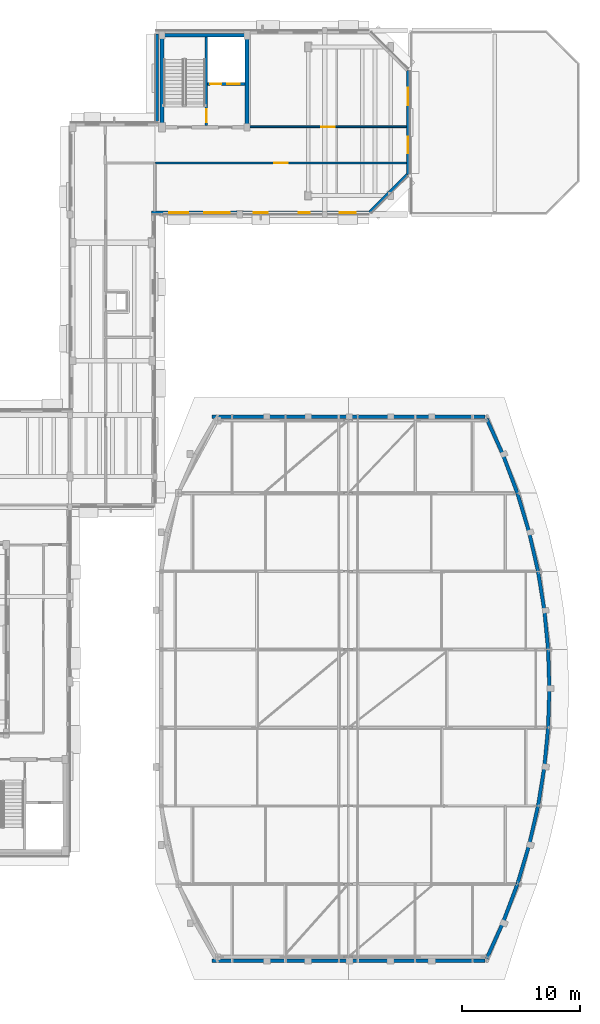
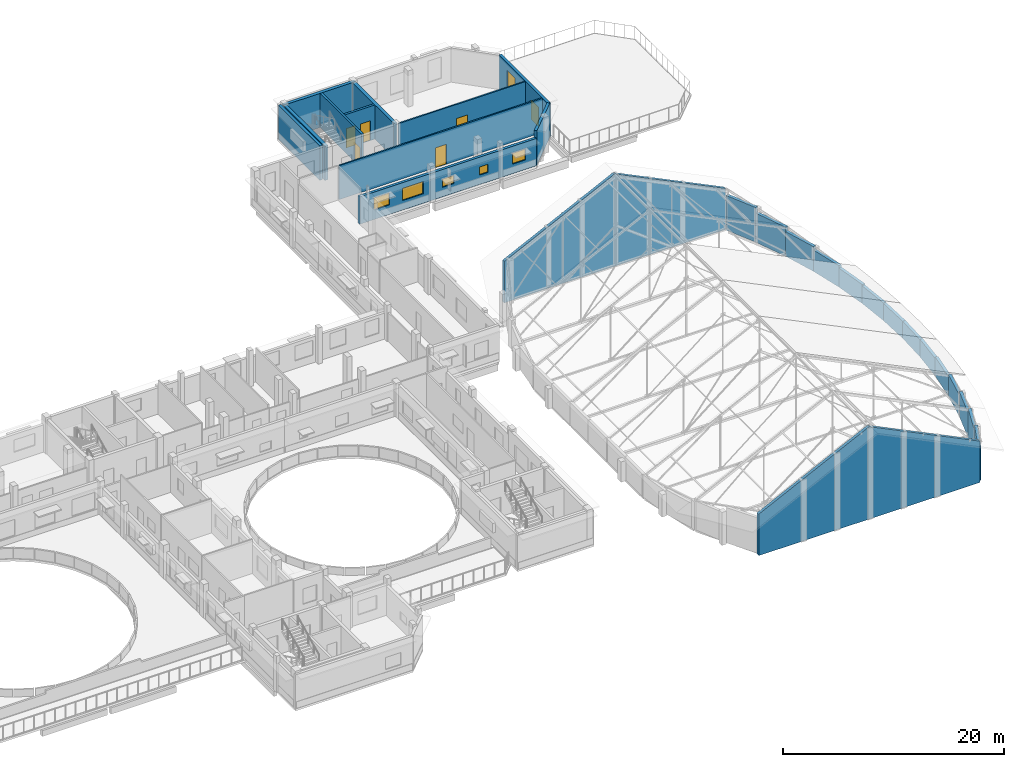
# One storey, part 67 of 78: 27 walls, 6 doors, 6 windows, 12 openings.
"""IFC4 building model written with IfcOpenShell, lengths in metres."""

from ifc_helpers import new_model, si_unit, direction, frame, frame_2d, origin, place, context, subcontext, project, spatial, polyline, rectangle, outline, extrude, material, layer, layer_set, type_object, element, fill, save


model = new_model("IFC4")

# Units and contexts
model_context = context("Model", 3, precision=1e-05, world=origin(), true_north=direction((0.0, 1.0)))
body_context = subcontext(model_context, "Body", "Model", "MODEL_VIEW")
ifc_project = project(units=[si_unit("LENGTHUNIT", "METRE"), si_unit("AREAUNIT", "SQUARE_METRE"), si_unit("VOLUMEUNIT", "CUBIC_METRE"), si_unit("PLANEANGLEUNIT", "RADIAN"), si_unit("MASSUNIT", "GRAM", prefix="KILO")], contexts=[model_context])

# Site, building, storey
site_placement = place(None, origin())
site = spatial("IfcSite", under=ifc_project, at=site_placement, CompositionType="ELEMENT")
building_placement = place(site_placement, origin())
building = spatial("IfcBuilding", under=site, at=building_placement, Name="Kelanivale Promenade Academy", CompositionType="ELEMENT")
storey_placement = place(building_placement, frame((0.0, 0.0, 16.199951171875)))
storey = spatial("IfcBuildingStorey", under=building, at=storey_placement, Name="L04", CompositionType="ELEMENT", Elevation=16.199951171875)

# Walls
ifc_material_1 = material(Name="Concrete C40/50", Category="concrete")
ifc_layer_1 = layer(ifc_material_1, 0.330078125)
ifc_layer_set_1 = layer_set([ifc_layer_1], Name="Concrete C40/50")
wall_type_1 = type_object("IfcWallType", Name="CW-S1 Wall 330mm", PredefinedType="SHEAR", material=ifc_layer_set_1)
wall_1_placement = place(storey_placement, frame((123.235107421875, 111.60009765625, 0.0), z_axis=(0.0, 0.0, 1.0), x_axis=(1.0, 0.0, 0.0)))
element("IfcWall", 1, at=wall_1_placement, inside=storey, type_object=wall_type_1, Name="CORE-5 RC shear wall N L04", PredefinedType="SHEAR", context=body_context, shape_type="SweptSolid", body=[
    extrude(rectangle(XDim=7.52978515625, YDim=0.330078125, at=frame_2d((3.764892578125, 0.0))), origin(), (0.0, 0.0, 1.0), 3.780029296875),
])
for number, where, z_axis, x_axis, name in (
    (2, (123.39990234375, 103.965087890625, 0.0), (0.0, 0.0, 1.0), (0.0, 1.0, 0.0), "CORE-5 RC shear wall W L04"),
    (3, (130.60009765625, 103.965087890625, 0.0), (0.0, 0.0, 1.0), (0.0, 1.0, 0.0), "CORE-5 RC shear wall E L04"),
):
    element("IfcWall", number, at=place(storey_placement, frame(where, z_axis=z_axis, x_axis=x_axis)), inside=storey, type_object=wall_type_1, Name=name, PredefinedType="SHEAR", context=body_context, shape_type="SweptSolid", body=[
        extrude(rectangle(XDim=7.469970703125, YDim=0.330078125, at=frame_2d((3.73486328125, 0.0))), origin(), (0.0, 0.0, 1.0), 3.780029296875),
    ])

# Wall, openings, doors
ifc_layer_2 = layer(ifc_material_1, 0.22509765625)
ifc_layer_set_2 = layer_set([ifc_layer_2], Name="Concrete C40/50")
wall_type_2 = type_object("IfcWallType", Name="CW-S2 Wall 225mm", PredefinedType="SHEAR", material=ifc_layer_set_2)
wall_2_placement = place(storey_placement, frame((127.284912109375, 107.469970703125, 0.0), z_axis=(0.0, 0.0, 1.0), x_axis=(1.0, 0.0, 0.0)))
wall_2 = element("IfcWall", 4, at=wall_2_placement, inside=storey, type_object=wall_type_2, Name="CORE-5 lift shaft front RC wall L04", PredefinedType="SHEAR", context=body_context, shape_type="SweptSolid", body=[
    extrude(rectangle(XDim=3.150146484375, YDim=0.22509765625, at=frame_2d((1.5751953125, 0.0))), origin(), (0.0, 0.0, 1.0), 3.780029296875),
])
opening_1_placement = place(wall_2_placement, frame((0.199951171875, 0.0, 0.0)))
opening_1 = element("IfcOpeningElement", 5, at=opening_1_placement, cuts=wall_2, Name="Opening LD-LF-FF4-L04", PredefinedType="OPENING", context=body_context, shape_type="SweptSolid", body=[
    extrude(rectangle(XDim=0.949951171875, YDim=2.14990234375, at=frame_2d((0.47509765625, 1.074951171875))), frame((0.0, 0.12255859375, 0.0), z_axis=(0.0, -1.0, 0.0), x_axis=(1.0, 0.0, 0.0)), (0.0, 0.0, 1.0), 0.2451171875),
])
opening_2_placement = place(wall_2_placement, frame((1.64990234375, 0.0, 0.0)))
opening_2 = element("IfcOpeningElement", 6, at=opening_2_placement, cuts=wall_2, Name="Opening LD-LF-P3-L04", PredefinedType="OPENING", context=body_context, shape_type="SweptSolid", body=[
    extrude(rectangle(XDim=1.050048828125, YDim=2.199951171875, at=frame_2d((0.52490234375, 1.10009765625))), frame((0.0, 0.12255859375, 0.0), z_axis=(0.0, -1.0, 0.0), x_axis=(1.0, 0.0, 0.0)), (0.0, 0.0, 1.0), 0.2451171875),
])
ifc_material_2 = material(Name="Fire-rated steel-core teak veneer", Category="steel")
door_type_1 = type_object("IfcDoorType", Name="LD-FF1 Door 950x2150", OperationType="NOTDEFINED", PredefinedType="DOOR", material=ifc_material_2)
door_1_placement = place(opening_1_placement, origin())
door_1 = element("IfcDoor", 7, at=door_1_placement, inside=storey, type_object=door_type_1, Name="Firefighting lift landing door LD-LF-FF4-L04", OperationType="SLIDING_TO_LEFT", OverallHeight=2.14990234375, OverallWidth=0.949951171875, PredefinedType="DOOR", context=body_context, shape_type="SweptSolid", body=[
    extrude(rectangle(XDim=0.949951171875, YDim=2.14990234375, at=frame_2d((0.47509765625, 1.074951171875))), frame((0.0, 0.02490234375, 0.0), z_axis=(0.0, -1.0, 0.0), x_axis=(1.0, 0.0, 0.0)), (0.0, 0.0, 1.0), 0.050048828125),
])
fill(opening_1, door_1)
door_type_2 = type_object("IfcDoorType", Name="LD-PL1 Door 1050x2200", OperationType="NOTDEFINED", PredefinedType="DOOR", material=ifc_material_2)
door_2_placement = place(opening_2_placement, origin())
door_2 = element("IfcDoor", 8, at=door_2_placement, inside=storey, type_object=door_type_2, Name="Passenger lift landing door LD-LF-P3-L04", OperationType="SLIDING_TO_RIGHT", OverallHeight=2.199951171875, OverallWidth=1.050048828125, PredefinedType="DOOR", context=body_context, shape_type="SweptSolid", body=[
    extrude(rectangle(XDim=1.050048828125, YDim=2.199951171875, at=frame_2d((0.52490234375, 1.10009765625))), frame((0.0, 0.02490234375, 0.0), z_axis=(0.0, -1.0, 0.0), x_axis=(1.0, 0.0, 0.0)), (0.0, 0.0, 1.0), 0.050048828125),
])
fill(opening_2, door_2)

# Wall, opening, door
ifc_layer_3 = layer(ifc_material_1, 0.219970703125)
ifc_layer_set_3 = layer_set([ifc_layer_3], Name="Concrete C40/50")
wall_type_3 = type_object("IfcWallType", Name="CW-S3 Wall 220mm", PredefinedType="SHEAR", material=ifc_layer_set_3)
wall_3_placement = place(storey_placement, frame((127.175048828125, 103.965087890625, 0.0), z_axis=(0.0, 0.0, 1.0), x_axis=(0.0, 1.0, 0.0)))
wall_3 = element("IfcWall", 9, at=wall_3_placement, inside=storey, type_object=wall_type_3, Name="CORE-5 stair-lobby dividing RC wall L04", PredefinedType="SHEAR", context=body_context, shape_type="SweptSolid", body=[
    extrude(rectangle(XDim=7.469970703125, YDim=0.219970703125, at=frame_2d((3.73486328125, 0.0))), origin(), (0.0, 0.0, 1.0), 3.780029296875),
])
opening_3_placement = place(wall_3_placement, frame((0.25, 0.0, 0.0)))
opening_3 = element("IfcOpeningElement", 10, at=opening_3_placement, cuts=wall_3, Name="Opening FD-CORE-5-SL-L04", PredefinedType="OPENING", context=body_context, shape_type="SweptSolid", body=[
    extrude(rectangle(XDim=1.10009765625, YDim=2.14990234375, at=frame_2d((0.550048828125, 1.074951171875))), frame((0.0, 0.1201171875, 0.0), z_axis=(0.0, -1.0, 0.0), x_axis=(1.0, 0.0, 0.0)), (0.0, 0.0, 1.0), 0.239990234375),
])
door_type_3 = type_object("IfcDoorType", Name="DT-F01 Door 1100x2150", OperationType="NOTDEFINED", PredefinedType="DOOR", material=ifc_material_2)
door_3_placement = place(opening_3_placement, origin())
door_3 = element("IfcDoor", 11, at=door_3_placement, inside=storey, type_object=door_type_3, Name="CORE-5 lobby-to-stair fire door L04", OperationType="SINGLE_SWING_RIGHT", OverallHeight=2.14990234375, OverallWidth=1.10009765625, PredefinedType="DOOR", context=body_context, shape_type="SweptSolid", body=[
    extrude(rectangle(XDim=1.10009765625, YDim=2.14990234375, at=frame_2d((0.550048828125, 1.074951171875))), frame((0.0, 0.02490234375, 0.0), z_axis=(0.0, -1.0, 0.0), x_axis=(1.0, 0.0, 0.0)), (0.0, 0.0, 1.0), 0.050048828125),
])
fill(opening_3, door_3)

# Walls
ifc_material_3 = material(Name="Insulated terracotta-clad masonry wall 300 mm", Category="masonry")
ifc_layer_4 = layer(ifc_material_3, 0.300048828125)
ifc_layer_set_4 = layer_set([ifc_layer_4], Name="Insulated terracotta-clad masonry wall 300 mm")
wall_type_4 = type_object("IfcWallType", Name="EW-01 Wall 300mm", PredefinedType="SOLIDWALL", material=ifc_layer_set_4)
wall_4_placement = place(storey_placement, frame((150.928955078125, 33.30908203125, 0.0), z_axis=(0.0, 0.0, 1.0), x_axis=(0.414382257429, 0.910102930842, 0.0)))
element("IfcWall", 12, at=wall_4_placement, inside=storey, type_object=wall_type_4, Name="Assembly Hall Arc Pavilion curved terracotta wall L04", PredefinedType="SOLIDWALL", context=body_context, shape_type="SweptSolid", body=[
    extrude(rectangle(XDim=3.3017578125, YDim=0.300048828125, at=frame_2d((1.65087890625, 0.0))), origin(), (0.0, 0.0, 1.0), 3.825927734375),
])
wall_5_placement = place(storey_placement, frame((152.297119140625, 36.31396484375, 0.0), z_axis=(0.0, 0.0, 1.0), x_axis=(0.350836219137, 0.936436835746, 0.0)))
element("IfcWall", 13, at=wall_5_placement, inside=storey, type_object=wall_type_4, Name="Assembly Hall Arc Pavilion curved terracotta wall L04", PredefinedType="SOLIDWALL", context=body_context, shape_type="SweptSolid", body=[
    extrude(rectangle(XDim=3.5400390625, YDim=0.300048828125, at=frame_2d((1.77001953125, 0.0))), origin(), (0.0, 0.0, 1.0), 3.218994140625),
])
wall_6_placement = place(storey_placement, frame((153.5390625, 39.62890625, 0.0), z_axis=(0.0, 0.0, 1.0), x_axis=(0.286991798892, 0.957933039084, 0.0)))
element("IfcWall", 14, at=wall_6_placement, inside=storey, type_object=wall_type_4, Name="Assembly Hall Arc Pavilion curved terracotta wall L04", PredefinedType="SOLIDWALL", context=body_context, shape_type="SweptSolid", body=[
    extrude(rectangle(XDim=3.459716796875, YDim=0.300048828125, at=frame_2d((1.72998046875, 0.0))), origin(), (0.0, 0.0, 1.0), 2.734130859375),
])
wall_7_placement = place(storey_placement, frame((154.531982421875, 42.943115234375, 0.0), z_axis=(0.0, 0.0, 1.0), x_axis=(0.223259599234, 0.974759022195, 0.0)))
element("IfcWall", 15, at=wall_7_placement, inside=storey, type_object=wall_type_4, Name="Assembly Hall Arc Pavilion curved terracotta wall L04", PredefinedType="SOLIDWALL", context=body_context, shape_type="SweptSolid", body=[
    extrude(rectangle(XDim=3.399658203125, YDim=0.300048828125, at=frame_2d((1.69970703125, 0.0))), origin(), (0.0, 0.0, 1.0), 2.364013671875),
])
wall_8_placement = place(storey_placement, frame((155.291015625, 46.257080078125, 0.0), z_axis=(0.0, 0.0, 1.0), x_axis=(0.159349054769, 0.987222304623, 0.0)))
element("IfcWall", 16, at=wall_8_placement, inside=storey, type_object=wall_type_4, Name="Assembly Hall Arc Pavilion curved terracotta wall L04", PredefinedType="SOLIDWALL", context=body_context, shape_type="SweptSolid", body=[
    extrude(rectangle(XDim=3.35693359375, YDim=0.300048828125, at=frame_2d((1.678466796875, 0.0))), origin(), (0.0, 0.0, 1.0), 2.10205078125),
])
wall_9_placement = place(storey_placement, frame((155.825927734375, 49.571044921875, 0.0), z_axis=(0.0, 0.0, 1.0), x_axis=(0.095525216858, 0.995427010355, 0.0)))
element("IfcWall", 17, at=wall_9_placement, inside=storey, type_object=wall_type_4, Name="Assembly Hall Arc Pavilion curved terracotta wall L04", PredefinedType="SOLIDWALL", context=body_context, shape_type="SweptSolid", body=[
    extrude(rectangle(XDim=3.330078125, YDim=0.300048828125, at=frame_2d((1.6650390625, 0.0))), origin(), (0.0, 0.0, 1.0), 1.947021484375),
])
for number, where, z_axis, x_axis, name in (
    (18, (156.14404296875, 52.885986328125, 0.0), (0.0, 0.0, 1.0), (0.031956559473, 0.999489258725, 0.0), "Assembly Hall Arc Pavilion curved terracotta wall L04"),
    (19, (156.25, 56.199951171875, 0.0), (0.0, 0.0, 1.0), (-0.031956559473, 0.999489258725, 0.0), "Assembly Hall Arc Pavilion curved terracotta wall L04"),
):
    element("IfcWall", number, at=place(storey_placement, frame(where, z_axis=z_axis, x_axis=x_axis)), inside=storey, type_object=wall_type_4, Name=name, PredefinedType="SOLIDWALL", context=body_context, shape_type="SweptSolid", body=[
        extrude(rectangle(XDim=3.315673828125, YDim=0.300048828125, at=frame_2d((1.65771484375, 0.0))), origin(), (0.0, 0.0, 1.0), 1.89501953125),
    ])
wall_10_placement = place(storey_placement, frame((156.14404296875, 59.513916015625, 0.0), z_axis=(0.0, 0.0, 1.0), x_axis=(-0.095518246268, 0.995427679256, 0.0)))
element("IfcWall", 20, at=wall_10_placement, inside=storey, type_object=wall_type_4, Name="Assembly Hall Arc Pavilion curved terracotta wall L04", PredefinedType="SOLIDWALL", context=body_context, shape_type="SweptSolid", body=[
    extrude(rectangle(XDim=3.330322265625, YDim=0.300048828125, at=frame_2d((1.6650390625, 0.0))), origin(), (0.0, 0.0, 1.0), 1.947021484375),
])
wall_11_placement = place(storey_placement, frame((155.825927734375, 62.8291015625, 0.0), z_axis=(0.0, 0.0, 1.0), x_axis=(-0.159349054769, 0.987222304623, 0.0)))
element("IfcWall", 21, at=wall_11_placement, inside=storey, type_object=wall_type_4, Name="Assembly Hall Arc Pavilion curved terracotta wall L04", PredefinedType="SOLIDWALL", context=body_context, shape_type="SweptSolid", body=[
    extrude(rectangle(XDim=3.35693359375, YDim=0.300048828125, at=frame_2d((1.678466796875, 0.0))), origin(), (0.0, 0.0, 1.0), 2.10205078125),
])
wall_12_placement = place(storey_placement, frame((155.291015625, 66.14306640625, 0.0), z_axis=(0.0, 0.0, 1.0), x_axis=(-0.223259599234, 0.974759022195, 0.0)))
element("IfcWall", 22, at=wall_12_placement, inside=storey, type_object=wall_type_4, Name="Assembly Hall Arc Pavilion curved terracotta wall L04", PredefinedType="SOLIDWALL", context=body_context, shape_type="SweptSolid", body=[
    extrude(rectangle(XDim=3.399658203125, YDim=0.300048828125, at=frame_2d((1.69970703125, 0.0))), origin(), (0.0, 0.0, 1.0), 2.364013671875),
])
wall_13_placement = place(storey_placement, frame((154.531982421875, 69.45703125, 0.0), z_axis=(0.0, 0.0, 1.0), x_axis=(-0.287011200065, 0.957927226379, 0.0)))
element("IfcWall", 23, at=wall_13_placement, inside=storey, type_object=wall_type_4, Name="Assembly Hall Arc Pavilion curved terracotta wall L04", PredefinedType="SOLIDWALL", context=body_context, shape_type="SweptSolid", body=[
    extrude(rectangle(XDim=3.45947265625, YDim=0.300048828125, at=frame_2d((1.729736328125, 0.0))), origin(), (0.0, 0.0, 1.0), 2.734130859375),
])
wall_14_placement = place(storey_placement, frame((153.5390625, 72.77099609375, 0.0), z_axis=(0.0, 0.0, 1.0), x_axis=(-0.350836219137, 0.936436835746, 0.0)))
element("IfcWall", 24, at=wall_14_placement, inside=storey, type_object=wall_type_4, Name="Assembly Hall Arc Pavilion curved terracotta wall L04", PredefinedType="SOLIDWALL", context=body_context, shape_type="SweptSolid", body=[
    extrude(rectangle(XDim=3.5400390625, YDim=0.300048828125, at=frame_2d((1.77001953125, 0.0))), origin(), (0.0, 0.0, 1.0), 3.218994140625),
])
wall_15_placement = place(storey_placement, frame((152.297119140625, 76.0859375, 0.0), z_axis=(0.0, 0.0, 1.0), x_axis=(-0.414354372568, 0.910115626684, 0.0)))
element("IfcWall", 25, at=wall_15_placement, inside=storey, type_object=wall_type_4, Name="Assembly Hall Arc Pavilion curved terracotta wall L04", PredefinedType="SOLIDWALL", context=body_context, shape_type="SweptSolid", body=[
    extrude(rectangle(XDim=3.302001953125, YDim=0.300048828125, at=frame_2d((1.65087890625, 0.0))), origin(), (0.0, 0.0, 1.0), 3.825927734375),
])
wall_16_placement = place(storey_placement, frame((127.64990234375, 33.14990234375, 0.0), z_axis=(0.0, 0.0, 1.0), x_axis=(1.0, 0.0, 0.0)))
element("IfcWall", 26, at=wall_16_placement, inside=storey, type_object=wall_type_4, Name="Assembly Hall Arc Pavilion raked gable closure wall", PredefinedType="SOLIDWALL", context=body_context, shape_type="SweptSolid", body=[
    extrude(outline(polyline([(0.0, 0.0), (23.13818359375, 0.0), (23.137939453125, 4.56298828125), (11.550048828125, 10.22216796875), (0.0, 4.5810546875), (0.0, 0.0)])), frame((0.0, 0.14990234375, 0.0), z_axis=(0.0, -1.0, 0.0), x_axis=(1.0, 0.0, 0.0)), (0.0, 0.0, 1.0), 0.300048828125),
])
wall_17_placement = place(storey_placement, frame((150.7880859375, 79.25, 0.0), z_axis=(0.0, 0.0, 1.0), x_axis=(-1.0, 0.0, 0.0)))
element("IfcWall", 27, at=wall_17_placement, inside=storey, type_object=wall_type_4, Name="Assembly Hall Arc Pavilion raked gable closure wall", PredefinedType="SOLIDWALL", context=body_context, shape_type="SweptSolid", body=[
    extrude(outline(polyline([(0.0, 0.0), (23.13818359375, 0.0), (23.137939453125, 4.5810546875), (11.587890625, 10.22216796875), (0.0, 4.56298828125), (0.0, 0.0)])), frame((0.0, 0.14990234375, 0.0), z_axis=(0.0, -1.0, 0.0), x_axis=(1.0, 0.0, 0.0)), (0.0, 0.0, 1.0), 0.300048828125),
])

# Wall, openings, windows
ifc_material_4 = material(Name="Insulated ivory stucco masonry wall 280 mm", Category="masonry")
ifc_layer_5 = layer(ifc_material_4, 0.280029296875)
ifc_layer_set_5 = layer_set([ifc_layer_5], Name="Insulated ivory stucco masonry wall 280 mm")
wall_type_5 = type_object("IfcWallType", Name="EW-02 Wall 280mm", PredefinedType="SOLIDWALL", material=ifc_layer_set_5)
wall_18_placement = place(storey_placement, frame((122.52001953125, 96.5400390625, 0.0), z_axis=(0.0, 0.0, 1.0), x_axis=(1.0, 0.0, 0.0)))
wall_18 = element("IfcWall", 28, at=wall_18_placement, inside=storey, type_object=wall_type_5, Name="L04 exterior facade wall EW-L04-ORT-0533", PredefinedType="SOLIDWALL", context=body_context, shape_type="SweptSolid", body=[
    extrude(rectangle(XDim=18.4970703125, YDim=0.280029296875, at=frame_2d((9.24853515625, 0.0))), origin(), (0.0, 0.0, 1.0), 3.025146484375),
])
opening_4_placement = place(wall_18_placement, frame((1.5, 0.0, 1.050048828125)))
opening_4 = element("IfcOpeningElement", 29, at=opening_4_placement, cuts=wall_18, Name="Opening WT-07", PredefinedType="OPENING", context=body_context, shape_type="SweptSolid", body=[
    extrude(rectangle(XDim=1.60009765625, YDim=1.35009765625, at=frame_2d((0.800048828125, 0.675048828125))), frame((0.0, 0.14990234375, 0.0), z_axis=(0.0, -1.0, 0.0), x_axis=(1.0, 0.0, 0.0)), (0.0, 0.0, 1.0), 0.300048828125),
])
opening_5_placement = place(wall_18_placement, frame((4.448974609375, 0.0, 1.050048828125)))
opening_5 = element("IfcOpeningElement", 30, at=opening_5_placement, cuts=wall_18, Name="Opening WT-08", PredefinedType="OPENING", context=body_context, shape_type="SweptSolid", body=[
    extrude(rectangle(XDim=2.199951171875, YDim=1.35009765625, at=frame_2d((1.10009765625, 0.675048828125))), frame((0.0, 0.14990234375, 0.0), z_axis=(0.0, -1.0, 0.0), x_axis=(1.0, 0.0, 0.0)), (0.0, 0.0, 1.0), 0.300048828125),
])
opening_6_placement = place(wall_18_placement, frame((8.64892578125, 0.0, 1.050048828125)))
opening_6 = element("IfcOpeningElement", 31, at=opening_6_placement, cuts=wall_18, Name="Opening WT-09", PredefinedType="OPENING", context=body_context, shape_type="SweptSolid", body=[
    extrude(rectangle(XDim=1.199951171875, YDim=0.89990234375, at=frame_2d((0.60009765625, 0.449951171875))), frame((0.0, 0.14990234375, 0.0), z_axis=(0.0, -1.0, 0.0), x_axis=(1.0, 0.0, 0.0)), (0.0, 0.0, 1.0), 0.300048828125),
])
opening_7_placement = place(wall_18_placement, frame((12.498046875, 0.0, 1.050048828125)))
opening_7 = element("IfcOpeningElement", 32, at=opening_7_placement, cuts=wall_18, Name="Opening WT-10", PredefinedType="OPENING", context=body_context, shape_type="SweptSolid", body=[
    extrude(rectangle(XDim=0.89990234375, YDim=0.89990234375, at=frame_2d((0.449951171875, 0.449951171875))), frame((0.0, 0.14990234375, 0.0), z_axis=(0.0, -1.0, 0.0), x_axis=(1.0, 0.0, 0.0)), (0.0, 0.0, 1.0), 0.300048828125),
])
opening_8_placement = place(wall_18_placement, frame((15.971923828125, 0.0, 1.050048828125)))
opening_8 = element("IfcOpeningElement", 33, at=opening_8_placement, cuts=wall_18, Name="Opening WT-34", PredefinedType="OPENING", context=body_context, shape_type="SweptSolid", body=[
    extrude(rectangle(XDim=1.35009765625, YDim=1.199951171875, at=frame_2d((0.675048828125, 0.60009765625))), frame((0.0, 0.14990234375, 0.0), z_axis=(0.0, -1.0, 0.0), x_axis=(1.0, 0.0, 0.0)), (0.0, 0.0, 1.0), 0.300048828125),
])
ifc_material_5 = material(Name="Bronze anodised aluminium frame with low-E laminated glass", Category="aluminium")
window_type_1 = type_object("IfcWindowType", Name="WT-07 Window 1600x1350", PartitioningType="SINGLE_PANEL", PredefinedType="WINDOW", material=ifc_material_5)
window_1_placement = place(opening_4_placement, origin())
window_1 = element("IfcWindow", 34, at=window_1_placement, inside=storey, type_object=window_type_1, Name="Window WT-07", OverallHeight=1.35009765625, OverallWidth=1.60009765625, PartitioningType="SINGLE_PANEL", PredefinedType="WINDOW", context=body_context, shape_type="SweptSolid", body=[
    extrude(rectangle(XDim=1.60009765625, YDim=1.35009765625, at=frame_2d((0.800048828125, 0.675048828125))), frame((0.0, 0.030029296875, 0.0), z_axis=(0.0, -1.0, 0.0), x_axis=(1.0, 0.0, 0.0)), (0.0, 0.0, 1.0), 0.06005859375),
])
fill(opening_4, window_1)
window_type_2 = type_object("IfcWindowType", Name="WT-08 Window 2200x1350", PartitioningType="SINGLE_PANEL", PredefinedType="WINDOW", material=ifc_material_5)
window_2_placement = place(opening_5_placement, origin())
window_2 = element("IfcWindow", 35, at=window_2_placement, inside=storey, type_object=window_type_2, Name="Window WT-08", OverallHeight=1.35009765625, OverallWidth=2.199951171875, PartitioningType="SINGLE_PANEL", PredefinedType="WINDOW", context=body_context, shape_type="SweptSolid", body=[
    extrude(rectangle(XDim=2.199951171875, YDim=1.35009765625, at=frame_2d((1.10009765625, 0.675048828125))), frame((0.0, 0.030029296875, 0.0), z_axis=(0.0, -1.0, 0.0), x_axis=(1.0, 0.0, 0.0)), (0.0, 0.0, 1.0), 0.06005859375),
])
fill(opening_5, window_2)
window_type_3 = type_object("IfcWindowType", Name="WT-09 Window 1200x900", PartitioningType="SINGLE_PANEL", PredefinedType="WINDOW", material=ifc_material_5)
window_3_placement = place(opening_6_placement, origin())
window_3 = element("IfcWindow", 36, at=window_3_placement, inside=storey, type_object=window_type_3, Name="Window WT-09", OverallHeight=0.89990234375, OverallWidth=1.199951171875, PartitioningType="SINGLE_PANEL", PredefinedType="WINDOW", context=body_context, shape_type="SweptSolid", body=[
    extrude(rectangle(XDim=1.199951171875, YDim=0.89990234375, at=frame_2d((0.60009765625, 0.449951171875))), frame((0.0, 0.030029296875, 0.0), z_axis=(0.0, -1.0, 0.0), x_axis=(1.0, 0.0, 0.0)), (0.0, 0.0, 1.0), 0.06005859375),
])
fill(opening_6, window_3)
window_type_4 = type_object("IfcWindowType", Name="WT-10 Window 900x900", PartitioningType="SINGLE_PANEL", PredefinedType="WINDOW", material=ifc_material_5)
window_4_placement = place(opening_7_placement, origin())
window_4 = element("IfcWindow", 37, at=window_4_placement, inside=storey, type_object=window_type_4, Name="Window WT-10", OverallHeight=0.89990234375, OverallWidth=0.89990234375, PartitioningType="SINGLE_PANEL", PredefinedType="WINDOW", context=body_context, shape_type="SweptSolid", body=[
    extrude(rectangle(XDim=0.89990234375, YDim=0.89990234375, at=frame_2d((0.449951171875, 0.449951171875))), frame((0.0, 0.030029296875, 0.0), z_axis=(0.0, -1.0, 0.0), x_axis=(1.0, 0.0, 0.0)), (0.0, 0.0, 1.0), 0.06005859375),
])
fill(opening_7, window_4)
window_type_5 = type_object("IfcWindowType", Name="WT-34 Window 1350x1200", PartitioningType="SINGLE_PANEL", PredefinedType="WINDOW", material=ifc_material_5)
window_5_placement = place(opening_8_placement, origin())
window_5 = element("IfcWindow", 38, at=window_5_placement, inside=storey, type_object=window_type_5, Name="Window WT-34", OverallHeight=1.199951171875, OverallWidth=1.35009765625, PartitioningType="SINGLE_PANEL", PredefinedType="WINDOW", context=body_context, shape_type="SweptSolid", body=[
    extrude(rectangle(XDim=1.35009765625, YDim=1.199951171875, at=frame_2d((0.675048828125, 0.60009765625))), frame((0.0, 0.030029296875, 0.0), z_axis=(0.0, -1.0, 0.0), x_axis=(1.0, 0.0, 0.0)), (0.0, 0.0, 1.0), 0.06005859375),
])
fill(opening_8, window_5)

# Wall
wall_19_placement = place(storey_placement, frame((141.0048828125, 96.583984375, 0.0), z_axis=(0.0, 0.0, 1.0), x_axis=(0.707133661755, 0.707079899597, 0.0)))
element("IfcWall", 39, at=wall_19_placement, inside=storey, type_object=wall_type_5, Name="L04 exterior facade wall EW-L04-ORT-0534", PredefinedType="SOLIDWALL", context=body_context, shape_type="SweptSolid", body=[
    extrude(rectangle(XDim=4.541015625, YDim=0.280029296875, at=frame_2d((2.2705078125, 0.0))), origin(), (0.0, 0.0, 1.0), 3.780029296875),
])

# Wall, openings, door, window
wall_20_placement = place(storey_placement, frame((144.260009765625, 99.782958984375, 0.0), z_axis=(0.0, 0.0, 1.0), x_axis=(0.0, 1.0, 0.0)))
wall_20 = element("IfcWall", 40, at=wall_20_placement, inside=storey, type_object=wall_type_5, Name="L04 exterior facade wall EW-L04-ORT-0535", PredefinedType="SOLIDWALL", context=body_context, shape_type="SweptSolid", body=[
    extrude(rectangle(XDim=8.833984375, YDim=0.280029296875, at=frame_2d((4.4169921875, 0.0))), origin(), (0.0, 0.0, 1.0), 3.780029296875),
])
opening_9_placement = place(wall_20_placement, frame((1.81689453125, 0.0, 0.0)))
opening_9 = element("IfcOpeningElement", 41, at=opening_9_placement, cuts=wall_20, Name="Opening XD-401", PredefinedType="OPENING", context=body_context, shape_type="SweptSolid", body=[
    extrude(rectangle(XDim=1.39990234375, YDim=2.14990234375, at=frame_2d((0.699951171875, 1.074951171875))), frame((0.0, 0.14990234375, 0.0), z_axis=(0.0, -1.0, 0.0), x_axis=(1.0, 0.0, 0.0)), (0.0, 0.0, 1.0), 0.300048828125),
])
opening_10_placement = place(wall_20_placement, frame((5.8759765625, 0.0, 0.75)))
opening_10 = element("IfcOpeningElement", 42, at=opening_10_placement, cuts=wall_20, Name="Opening WT-11", PredefinedType="OPENING", context=body_context, shape_type="SweptSolid", body=[
    extrude(rectangle(XDim=1.5, YDim=2.199951171875, at=frame_2d((0.75, 1.10009765625))), frame((0.0, 0.14990234375, 0.0), z_axis=(0.0, -1.0, 0.0), x_axis=(1.0, 0.0, 0.0)), (0.0, 0.0, 1.0), 0.300048828125),
])
ifc_material_6 = material(Name="Bronze anodised aluminium and laminated glass", Category="aluminium")
door_type_4 = type_object("IfcDoorType", Name="DT-X06 Door 1400x2150", OperationType="NOTDEFINED", PredefinedType="DOOR", material=ifc_material_6)
door_4_placement = place(opening_9_placement, frame((1.39990234375, 0.0, 0.0), z_axis=(0.0, 0.0, 1.0), x_axis=(-1.0, 0.0, 0.0)))
door_4 = element("IfcDoor", 43, at=door_4_placement, inside=storey, type_object=door_type_4, Name="L04 Science Play Deck door XD-401", OperationType="DOUBLE_DOOR_SINGLE_SWING", OverallHeight=2.14990234375, OverallWidth=1.39990234375, PredefinedType="DOOR", context=body_context, shape_type="SweptSolid", body=[
    extrude(rectangle(XDim=1.39990234375, YDim=2.14990234375, at=frame_2d((0.699951171875, 1.074951171875))), frame((0.0, 0.02490234375, 0.0), z_axis=(0.0, -1.0, 0.0), x_axis=(1.0, 0.0, 0.0)), (0.0, 0.0, 1.0), 0.050048828125),
])
fill(opening_9, door_4)
window_type_6 = type_object("IfcWindowType", Name="WT-11 Window 1500x2200", PartitioningType="SINGLE_PANEL", PredefinedType="WINDOW", material=ifc_material_5)
window_6_placement = place(opening_10_placement, origin())
window_6 = element("IfcWindow", 44, at=window_6_placement, inside=storey, type_object=window_type_6, Name="Window WT-11", OverallHeight=2.199951171875, OverallWidth=1.5, PartitioningType="SINGLE_PANEL", PredefinedType="WINDOW", context=body_context, shape_type="SweptSolid", body=[
    extrude(rectangle(XDim=1.5, YDim=2.199951171875, at=frame_2d((0.75, 1.10009765625))), frame((0.0, 0.030029296875, 0.0), z_axis=(0.0, -1.0, 0.0), x_axis=(1.0, 0.0, 0.0)), (0.0, 0.0, 1.0), 0.06005859375),
])
fill(opening_10, window_6)

# Wall
wall_21_placement = place(storey_placement, frame((122.989990234375, 111.719970703125, 0.0), z_axis=(0.0, 0.0, 1.0), x_axis=(0.0, -1.0, 0.0)))
element("IfcWall", 45, at=wall_21_placement, inside=storey, type_object=wall_type_5, Name="L04 exterior facade wall EW-L04-ORT-0538", PredefinedType="SOLIDWALL", context=body_context, shape_type="SweptSolid", body=[
    extrude(rectangle(XDim=7.52001953125, YDim=0.280029296875, at=frame_2d((3.760009765625, 0.0))), origin(), (0.0, 0.0, 1.0), 3.780029296875),
])

# Wall, opening, door
ifc_material_7 = material(Name="Acoustic gypsum-lined masonry partition 150 mm", Category="masonry")
ifc_layer_6 = layer(ifc_material_7, 0.14990234375)
ifc_layer_set_6 = layer_set([ifc_layer_6], Name="Acoustic gypsum-lined masonry partition 150 mm")
wall_type_6 = type_object("IfcWallType", Name="IW-03 Wall 150mm", PredefinedType="PARTITIONING", material=ifc_layer_set_6)
wall_22_placement = place(storey_placement, frame((144.1220703125, 100.77001953125, 0.0), z_axis=(0.0, 0.0, 1.0), x_axis=(-1.0, 0.0, 0.0)))
wall_22 = element("IfcWall", 46, at=wall_22_placement, inside=storey, type_object=wall_type_6, Name="L04 partition Advanced Chemistry Laboratory", PredefinedType="PARTITIONING", context=body_context, shape_type="SweptSolid", body=[
    extrude(rectangle(XDim=21.279052734375, YDim=0.14990234375, at=frame_2d((10.6396484375, 0.0))), origin(), (0.0, 0.0, 1.0), 3.760009765625),
])
opening_11_placement = place(wall_22_placement, frame((10.06494140625, 0.0, 0.0)))
opening_11 = element("IfcOpeningElement", 47, at=opening_11_placement, cuts=wall_22, Name="Opening ID-L04-192", PredefinedType="OPENING", context=body_context, shape_type="SweptSolid", body=[
    extrude(rectangle(XDim=1.14990234375, YDim=2.199951171875, at=frame_2d((0.574951171875, 1.10009765625))), frame((0.0, 0.0849609375, 0.0), z_axis=(0.0, -1.0, 0.0), x_axis=(1.0, 0.0, 0.0)), (0.0, 0.0, 1.0), 0.169921875),
])
door_type_5 = type_object("IfcDoorType", Name="DT-F06 Door 1150x2200", OperationType="NOTDEFINED", PredefinedType="DOOR", material=ifc_material_2)
door_5_placement = place(opening_11_placement, origin())
door_5 = element("IfcDoor", 48, at=door_5_placement, inside=storey, type_object=door_type_5, Name="Advanced Chemistry Laboratory door ID-L04-192", OperationType="SINGLE_SWING_RIGHT", OverallHeight=2.199951171875, OverallWidth=1.14990234375, PredefinedType="DOOR", context=body_context, shape_type="SweptSolid", body=[
    extrude(rectangle(XDim=1.14990234375, YDim=2.199951171875, at=frame_2d((0.574951171875, 1.10009765625))), frame((0.0, 0.02490234375, 0.0), z_axis=(0.0, -1.0, 0.0), x_axis=(1.0, 0.0, 0.0)), (0.0, 0.0, 1.0), 0.050048828125),
])
fill(opening_11, door_5)

wall_23_placement = place(storey_placement, frame((130.830078125, 103.830078125, 0.0), z_axis=(0.0, 0.0, 1.0), x_axis=(1.0, 0.0, 0.0)))
wall_23 = element("IfcWall", 49, at=wall_23_placement, inside=storey, type_object=wall_type_6, Name="L04 partition Senior Biology Research Studio", PredefinedType="PARTITIONING", context=body_context, shape_type="SweptSolid", body=[
    extrude(rectangle(XDim=13.2919921875, YDim=0.14990234375, at=frame_2d((6.64599609375, 0.0))), origin(), (0.0, 0.0, 1.0), 3.760009765625),
])
opening_12_placement = place(wall_23_placement, frame((6.071044921875, 0.0, 0.0)))
opening_12 = element("IfcOpeningElement", 50, at=opening_12_placement, cuts=wall_23, Name="Opening ID-L04-193", PredefinedType="OPENING", context=body_context, shape_type="SweptSolid", body=[
    extrude(rectangle(XDim=1.14990234375, YDim=2.199951171875, at=frame_2d((0.574951171875, 1.10009765625))), frame((0.0, 0.0849609375, 0.0), z_axis=(0.0, -1.0, 0.0), x_axis=(1.0, 0.0, 0.0)), (0.0, 0.0, 1.0), 0.169921875),
])
door_6_placement = place(opening_12_placement, origin())
door_6 = element("IfcDoor", 51, at=door_6_placement, inside=storey, type_object=door_type_5, Name="Senior Biology Research Studio door ID-L04-193", OperationType="SINGLE_SWING_LEFT", OverallHeight=2.199951171875, OverallWidth=1.14990234375, PredefinedType="DOOR", context=body_context, shape_type="SweptSolid", body=[
    extrude(rectangle(XDim=1.14990234375, YDim=2.199951171875, at=frame_2d((0.574951171875, 1.10009765625))), frame((0.0, 0.02490234375, 0.0), z_axis=(0.0, -1.0, 0.0), x_axis=(1.0, 0.0, 0.0)), (0.0, 0.0, 1.0), 0.050048828125),
])
fill(opening_12, door_6)

save(model, "model.ifc")
